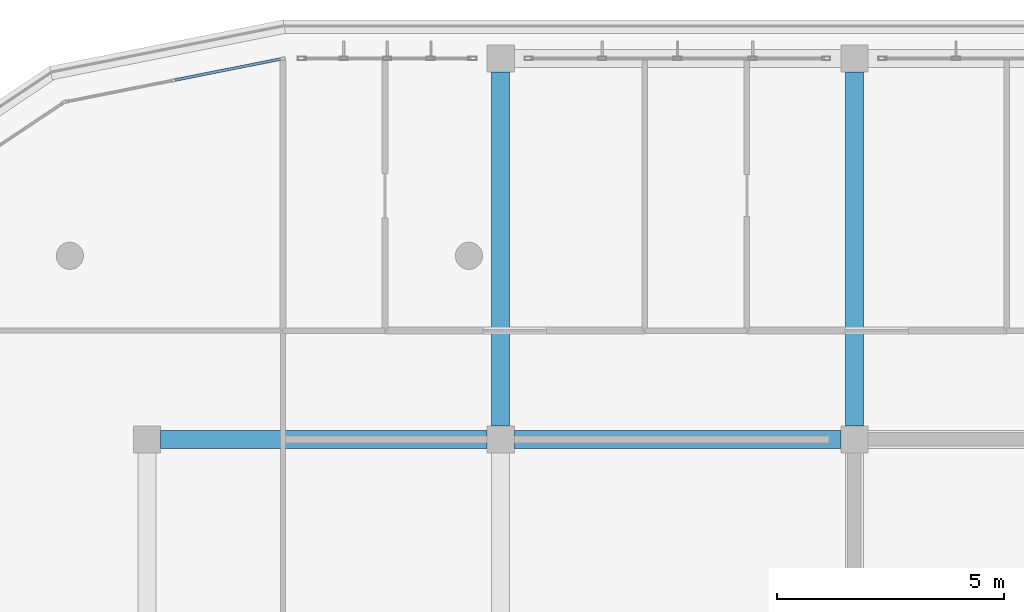
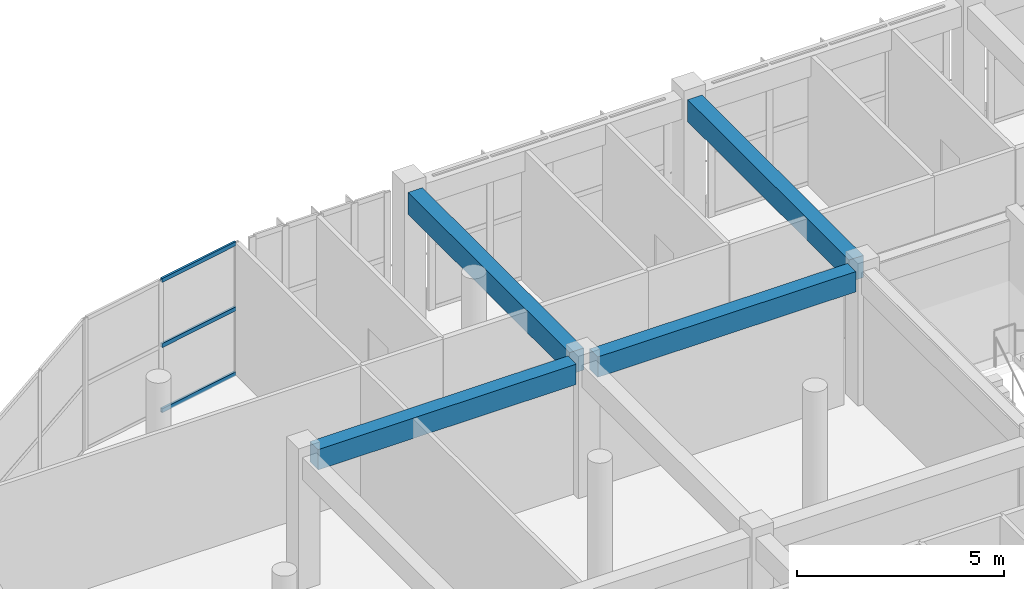
# One storey, part 8 of 56: 4 beams, 3 members, 1 element without a shape of its own.
"""IFC4 building model written with IfcOpenShell, lengths in metres."""

from ifc_helpers import new_model, si_unit, direction, frame, origin, origin_2d, place, context, subcontext, project, spatial, rectangle, hollow_rectangle, extrude, material, layer, layer_set, material_profile, profile_set, type_object, element, aggregate, save


model = new_model("IFC4")

# Units and contexts
model_context = context("Model", 3, precision=1e-05, world=origin(), true_north=direction((0.0, 1.0)))
body_context = subcontext(model_context, "Body", "Model", "MODEL_VIEW")
ifc_project = project(units=[si_unit("LENGTHUNIT", "METRE"), si_unit("AREAUNIT", "SQUARE_METRE"), si_unit("VOLUMEUNIT", "CUBIC_METRE"), si_unit("PLANEANGLEUNIT", "RADIAN"), si_unit("MASSUNIT", "GRAM", prefix="KILO")], contexts=[model_context])

# Site, building, storey
site_placement = place(None, origin())
site = spatial("IfcSite", under=ifc_project, at=site_placement, CompositionType="ELEMENT")
building_placement = place(site_placement, origin())
building = spatial("IfcBuilding", under=site, at=building_placement, Name="Zizhar Promenade General Hospital", CompositionType="ELEMENT")
storey_placement = place(building_placement, frame((0.0, 0.0, 26.39990234375)))
storey = spatial("IfcBuildingStorey", under=building, at=storey_placement, Name="L06", CompositionType="ELEMENT", Elevation=26.39990234375)

# Beams
ifc_material_1 = material(Name="Concrete C35/45", Category="concrete")
ifc_material_profile_1 = material_profile(ifc_material_1, rectangle(XDim=0.39990234375, YDim=0.60009765625, at=origin_2d()))
ifc_profile_set_1 = profile_set([ifc_material_profile_1], Name="Concrete C35/45")
beam_type_1 = type_object("IfcBeamType", Name="BM-RC-400x600", PredefinedType="JOIST", material=ifc_profile_set_1)
for number, where, z_axis, x_axis, name in (
    (1, (31.5, 16.800048828125, 3.610107421875), (1.0, 0.0, 0.0), (0.0, 1.0, 0.0), "Grid Beam X L06 (4-2)"),
    (2, (39.300048828125, 16.800048828125, 3.610107421875), (1.0, 0.0, 0.0), (0.0, 1.0, 0.0), "Grid Beam X L06 (5-2)"),
):
    element("IfcBeam", number, at=place(storey_placement, frame(where, z_axis=z_axis, x_axis=x_axis)), inside=storey, type_object=beam_type_1, Name=name, PredefinedType="JOIST", context=body_context, shape_type="SweptSolid", body=[
        extrude(rectangle(XDim=0.39990234375, YDim=0.60009765625, at=origin_2d()), origin(), (0.0, 0.0, 1.0), 7.199951171875),
    ])
ifc_material_2 = material(Name="Concrete C35/45", Category="concrete")
ifc_material_profile_2 = material_profile(ifc_material_2, rectangle(XDim=0.39990234375, YDim=0.64990234375, at=origin_2d()))
ifc_profile_set_2 = profile_set([ifc_material_profile_2], Name="Concrete C35/45")
beam_type_2 = type_object("IfcBeamType", Name="BM-RC-400x650", PredefinedType="BEAM", material=ifc_profile_set_2)
for number, where, z_axis, x_axis, name in (
    (3, (39.0, 17.10009765625, 3.585205078125), (0.0, 1.0, 0.0), (-1.0, 0.0, 0.0), "Grid Beam Y L06 (5-2)"),
    (4, (46.800048828125, 17.10009765625, 3.585205078125), (0.0, 1.0, 0.0), (-1.0, 0.0, 0.0), "Grid Beam Y L06 (6-2)"),
):
    element("IfcBeam", number, at=place(storey_placement, frame(where, z_axis=z_axis, x_axis=x_axis)), inside=storey, type_object=beam_type_2, Name=name, PredefinedType="BEAM", context=body_context, shape_type="SweptSolid", body=[
        extrude(rectangle(XDim=0.39990234375, YDim=0.64990234375, at=origin_2d()), origin(), (0.0, 0.0, 1.0), 7.7998046875),
    ])

# Curtain wall, members
ifc_material_3 = material(Name="Anodised aluminium 6063-T6 and low-E glass", Category="aluminium")
ifc_layer = layer(ifc_material_3, 0.159912109375)
ifc_layer_set = layer_set([ifc_layer], Name="Anodised aluminium 6063-T6 and low-E glass")
curtain_wall_type = type_object("IfcCurtainWallType", Name="CW-WARD-ARC", PredefinedType="NOTDEFINED", material=ifc_layer_set)
curtain_wall_placement = place(storey_placement, origin())
curtain_wall = element("IfcCurtainWall", 5, at=curtain_wall_placement, inside=storey, type_object=curtain_wall_type, Name="Ward Semicircular End Glazing L06-10", PredefinedType="NOTDEFINED")
ifc_material_4 = material(Name="Anodised aluminium 6063-T6", Category="aluminium")
ifc_material_profile_3 = material_profile(ifc_material_4, hollow_rectangle(XDim=0.06005859375, YDim=0.1201171875, WallThickness=0.00390625, at=origin_2d()))
ifc_profile_set_3 = profile_set([ifc_material_profile_3], Name="Anodised aluminium 6063-T6")
member_type = type_object("IfcMemberType", Name="CWT-ALU-120x60", PredefinedType="USERDEFINED", material=ifc_profile_set_3)
member_1_placement = place(storey_placement, frame((31.818603515625, 24.726318359375, 0.030029296875), z_axis=(0.980790278018, 0.195065195628, 0.0), x_axis=(-0.195065195628, 0.980790278018, 0.0)))
member_1 = element("IfcMember", 6, at=member_1_placement, type_object=member_type, Name="CW-12 transom 2.1", ObjectType="TRANSOM", PredefinedType="USERDEFINED", context=body_context, shape_type="SweptSolid", body=[
    extrude(hollow_rectangle(XDim=0.06005859375, YDim=0.1201171875, WallThickness=0.00390625, at=origin_2d()), origin(), (0.0, 0.0, 1.0), 2.367919921875),
])
member_2_placement = place(storey_placement, frame((31.818603515625, 24.726318359375, 1.9501953125), z_axis=(0.980790278018, 0.195065195628, 0.0), x_axis=(-0.195065195628, 0.980790278018, 0.0)))
member_2 = element("IfcMember", 7, at=member_2_placement, type_object=member_type, Name="CW-12 transom 2.2", ObjectType="TRANSOM", PredefinedType="USERDEFINED", context=body_context, shape_type="SweptSolid", body=[
    extrude(hollow_rectangle(XDim=0.06005859375, YDim=0.1201171875, WallThickness=0.00390625, at=origin_2d()), origin(), (0.0, 0.0, 1.0), 2.367919921875),
])
member_3_placement = place(storey_placement, frame((31.818603515625, 24.726318359375, 3.8701171875), z_axis=(0.980790278018, 0.195065195628, 0.0), x_axis=(-0.195065195628, 0.980790278018, 0.0)))
member_3 = element("IfcMember", 8, at=member_3_placement, type_object=member_type, Name="CW-12 transom 2.3", ObjectType="TRANSOM", PredefinedType="USERDEFINED", context=body_context, shape_type="SweptSolid", body=[
    extrude(hollow_rectangle(XDim=0.06005859375, YDim=0.1201171875, WallThickness=0.00390625, at=origin_2d()), origin(), (0.0, 0.0, 1.0), 2.367919921875),
])
aggregate(curtain_wall, [member_1, member_2, member_3])

save(model, "model.ifc")
